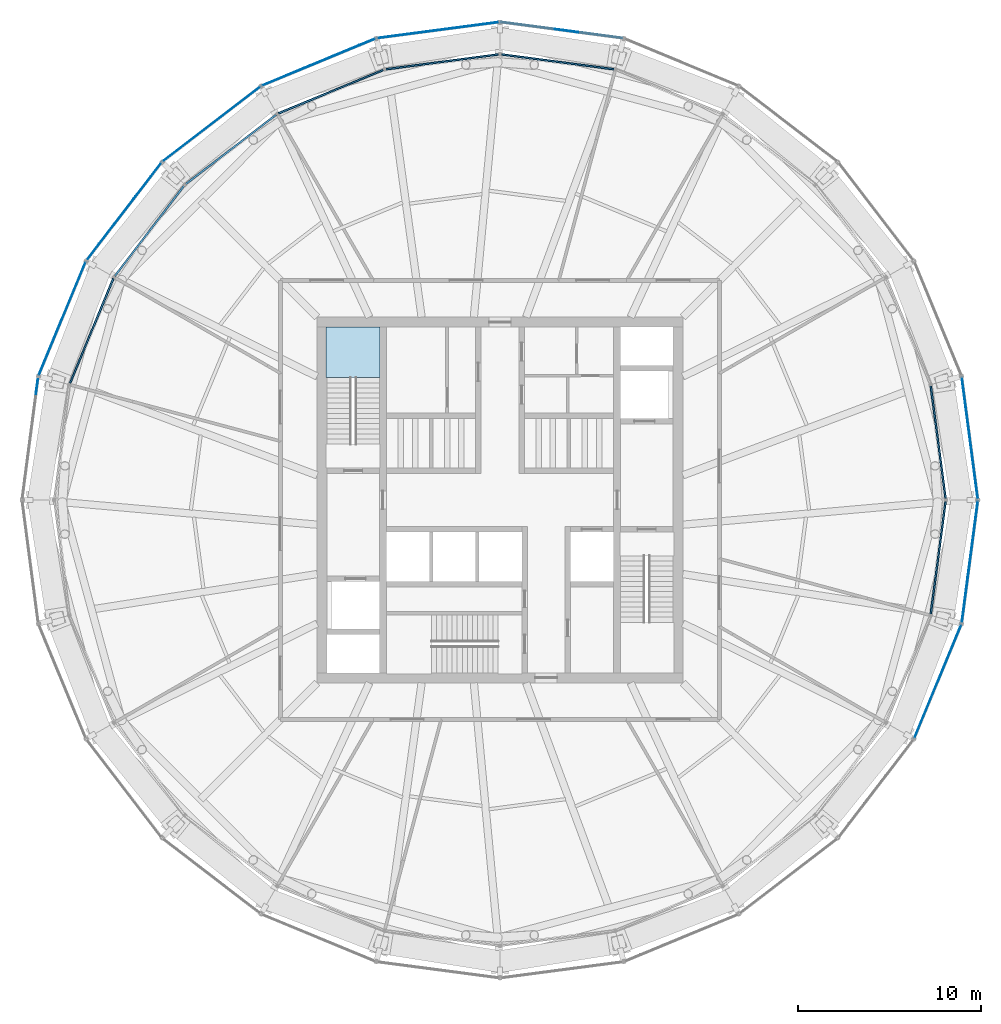
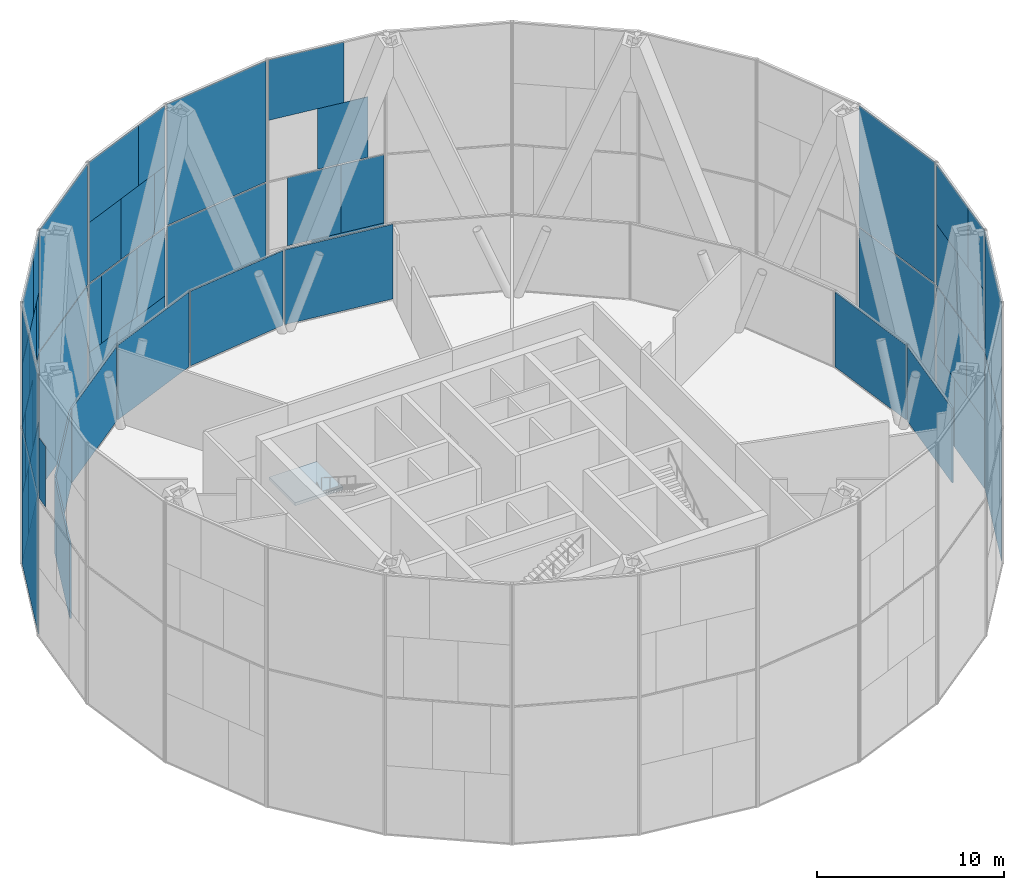
# One storey, part 12 of 17: 54 plates, 1 slab, 19 elements without a shape of their own.
"""IFC4 building model written with IfcOpenShell, lengths in metres."""

from ifc_helpers import new_model, si_unit, direction, frame, origin, origin_2d, place, context, subcontext, project, spatial, polyline, rectangle, outline, extrude, material, layer, layer_set, type_object, element, aggregate, save


model = new_model("IFC4")

# Units and contexts
model_context = context("Model", 3, precision=1e-05, world=origin(), true_north=direction((0.0, 1.0)))
body_context = subcontext(model_context, "Body", "Model", "MODEL_VIEW")
ifc_project = project(units=[si_unit("LENGTHUNIT", "METRE"), si_unit("AREAUNIT", "SQUARE_METRE"), si_unit("VOLUMEUNIT", "CUBIC_METRE"), si_unit("PLANEANGLEUNIT", "RADIAN"), si_unit("MASSUNIT", "GRAM", prefix="KILO")], contexts=[model_context])

# Site, building, storey
site_placement = place(None, origin())
site = spatial("IfcSite", under=ifc_project, at=site_placement, CompositionType="ELEMENT")
building_placement = place(site_placement, origin())
building = spatial("IfcBuilding", under=site, at=building_placement, Name="Golbaran Civic Tower", CompositionType="ELEMENT")
storey_placement = place(building_placement, frame((0.0, 0.0, 150.0)))
storey = spatial("IfcBuildingStorey", under=building, at=storey_placement, Name="L36", CompositionType="ELEMENT", Elevation=150.0)

# Curtain wall, plates
ifc_material_1 = material(Name="Aluminium and glass", Category="aluminium")
curtain_wall_type_1 = type_object("IfcCurtainWallType", Name="OUTER SKIN TERRACOTTA SCREEN", PredefinedType="NOTDEFINED", material=ifc_material_1)
curtain_wall_1_placement = place(storey_placement, origin())
curtain_wall_1 = element("IfcCurtainWall", 1, at=curtain_wall_1_placement, inside=storey, type_object=curtain_wall_type_1, Name="Outer skin L36 facet 6 CW3", ObjectType="OUTER SKIN", PredefinedType="USERDEFINED")
ifc_material_2 = material(Name="Clear laminated glass", Category="glass")
ifc_layer_1 = layer(ifc_material_2, 0.0400390625, Name="Clear laminated glass")
ifc_layer_set_1 = layer_set([ifc_layer_1], Name="Clear laminated glass")
plate_type_1 = type_object("IfcPlateType", Name="OUTER SKIN CLEAR GLASS PANEL", PredefinedType="CURTAIN_PANEL", material=ifc_layer_set_1)
plate_1_placement = place(storey_placement, frame((4.612548828125, 25.52685546875, -0.6298828125), z_axis=(0.0, 0.0, 1.0), x_axis=(-0.991444861369, 0.130526192255, 0.0)))
plate_1 = element("IfcPlate", 2, at=plate_1_placement, type_object=plate_type_1, Name="CW3 panel 1.1 part 1", PredefinedType="CURTAIN_PANEL", context=body_context, shape_type="SweptSolid", body=[
    extrude(rectangle(XDim=4.179931640625, YDim=0.0400390625, at=origin_2d()), origin(), (0.0, 0.0, 1.0), 4.43994140625),
])
plate_2_placement = place(storey_placement, frame((5.462158203125, 25.414794921875, 3.81005859375), z_axis=(0.0, 0.0, 1.0), x_axis=(-0.991444861369, 0.130526192255, 0.0)))
plate_2 = element("IfcPlate", 3, at=plate_2_placement, type_object=plate_type_1, Name="CW3 panel 1.1 part 3", PredefinedType="CURTAIN_PANEL", context=body_context, shape_type="SweptSolid", body=[
    extrude(rectangle(XDim=2.466064453125, YDim=0.0400390625, at=origin_2d()), origin(), (0.0, 0.0, 1.0), 4.43994140625),
])
plate_3_placement = place(storey_placement, frame((2.2373046875, 25.83935546875, 12.27001953125), z_axis=(0.0, 0.0, 1.0), x_axis=(-0.991444861369, 0.130526192255, 0.0)))
plate_3 = element("IfcPlate", 4, at=plate_3_placement, type_object=plate_type_1, Name="CW3 panel 1.2 part 5", PredefinedType="CURTAIN_PANEL", context=body_context, shape_type="SweptSolid", body=[
    extrude(rectangle(XDim=4.353271484375, YDim=0.0400390625, at=origin_2d()), origin(), (0.0, 0.0, 1.0), 3.93994140625),
])

curtain_wall_2_placement = place(storey_placement, origin())
curtain_wall_2 = element("IfcCurtainWall", 5, at=curtain_wall_2_placement, inside=storey, type_object=curtain_wall_type_1, Name="Outer skin L36 facet 8 CW3", ObjectType="OUTER SKIN", PredefinedType="USERDEFINED")
plate_4_placement = place(storey_placement, frame((-8.768798828125, 24.4130859375, -0.6298828125), z_axis=(0.0, 0.0, 1.0), x_axis=(-0.923879532545, -0.382683432284, 0.0)))
plate_4 = element("IfcPlate", 6, at=plate_4_placement, type_object=plate_type_1, Name="CW3 panel 1.1 part 1", PredefinedType="CURTAIN_PANEL", context=body_context, shape_type="SweptSolid", body=[
    extrude(rectangle(XDim=4.179931640625, YDim=0.0400390625, at=origin_2d()), origin(), (0.0, 0.0, 1.0), 4.43994140625),
])
plate_5_placement = place(storey_placement, frame((-7.97705078125, 24.740966796875, 3.81005859375), z_axis=(0.0, 0.0, 1.0), x_axis=(-0.923879532545, -0.382683432284, 0.0)))
plate_5 = element("IfcPlate", 7, at=plate_5_placement, type_object=plate_type_1, Name="CW3 panel 1.1 part 3", PredefinedType="CURTAIN_PANEL", context=body_context, shape_type="SweptSolid", body=[
    extrude(rectangle(XDim=2.466064453125, YDim=0.0400390625, at=origin_2d()), origin(), (0.0, 0.0, 1.0), 4.43994140625),
])
plate_6_placement = place(storey_placement, frame((-12.4921875, 22.870849609375, 3.81005859375), z_axis=(0.0, 0.0, 1.0), x_axis=(-0.923879532545, -0.382683432284, 0.0)))
plate_6 = element("IfcPlate", 8, at=plate_6_placement, type_object=plate_type_1, Name="CW3 panel 1.1 part 5", PredefinedType="CURTAIN_PANEL", context=body_context, shape_type="SweptSolid", body=[
    extrude(rectangle(XDim=1.084228515625, YDim=0.0400390625, at=origin_2d()), origin(), (0.0, 0.0, 1.0), 4.43994140625),
])
plate_7_placement = place(storey_placement, frame((-7.259521484375, 25.0380859375, 8.330078125), z_axis=(0.0, 0.0, 1.0), x_axis=(-0.923879532545, -0.382683432284, 0.0)))
plate_7 = element("IfcPlate", 9, at=plate_7_placement, type_object=plate_type_1, Name="CW3 panel 1.2 part 1", PredefinedType="CURTAIN_PANEL", context=body_context, shape_type="SweptSolid", body=[
    extrude(rectangle(XDim=0.9130859375, YDim=0.0400390625, at=origin_2d()), origin(), (0.0, 0.0, 1.0), 3.93994140625),
])
plate_8_placement = place(storey_placement, frame((-11.68505859375, 23.205078125, 8.330078125), z_axis=(0.0, 0.0, 1.0), x_axis=(-0.923879532545, -0.382683432284, 0.0)))
plate_8 = element("IfcPlate", 10, at=plate_8_placement, type_object=plate_type_1, Name="CW3 panel 1.2 part 3", PredefinedType="CURTAIN_PANEL", context=body_context, shape_type="SweptSolid", body=[
    extrude(rectangle(XDim=2.831298828125, YDim=0.0400390625, at=origin_2d()), origin(), (0.0, 0.0, 1.0), 3.93994140625),
])
plate_9_placement = place(storey_placement, frame((-10.982177734375, 23.496337890625, 12.27001953125), z_axis=(0.0, 0.0, 1.0), x_axis=(-0.923879532545, -0.382683432284, 0.0)))
plate_9 = element("IfcPlate", 11, at=plate_9_placement, type_object=plate_type_1, Name="CW3 panel 1.2 part 5", PredefinedType="CURTAIN_PANEL", context=body_context, shape_type="SweptSolid", body=[
    extrude(rectangle(XDim=4.353271484375, YDim=0.0400390625, at=origin_2d()), origin(), (0.0, 0.0, 1.0), 3.93994140625),
])

curtain_wall_3_placement = place(storey_placement, origin())
curtain_wall_3 = element("IfcCurtainWall", 12, at=curtain_wall_3_placement, inside=storey, type_object=curtain_wall_type_1, Name="Outer skin L36 facet 10 CW3", ObjectType="OUTER SKIN", PredefinedType="USERDEFINED")
plate_10_placement = place(storey_placement, frame((-19.800537109375, 16.758056640625, -0.6298828125), z_axis=(0.0, 0.0, 1.0), x_axis=(-0.608761428981, -0.793353340312, 0.0)))
plate_10 = element("IfcPlate", 13, at=plate_10_placement, type_object=plate_type_1, Name="CW3 panel 1.1 part 1", PredefinedType="CURTAIN_PANEL", context=body_context, shape_type="SweptSolid", body=[
    extrude(rectangle(XDim=4.179931640625, YDim=0.0400390625, at=origin_2d()), origin(), (0.0, 0.0, 1.0), 4.43994140625),
])
plate_11_placement = place(storey_placement, frame((-19.27880859375, 17.437744140625, 3.81005859375), z_axis=(0.0, 0.0, 1.0), x_axis=(-0.608761428981, -0.793353340312, 0.0)))
plate_11 = element("IfcPlate", 14, at=plate_11_placement, type_object=plate_type_1, Name="CW3 panel 1.1 part 3", PredefinedType="CURTAIN_PANEL", context=body_context, shape_type="SweptSolid", body=[
    extrude(rectangle(XDim=2.466064453125, YDim=0.0400390625, at=origin_2d()), origin(), (0.0, 0.0, 1.0), 4.43994140625),
])
plate_12_placement = place(storey_placement, frame((-22.25390625, 13.560546875, 3.81005859375), z_axis=(0.0, 0.0, 1.0), x_axis=(-0.608761428981, -0.793353340312, 0.0)))
plate_12 = element("IfcPlate", 15, at=plate_12_placement, type_object=plate_type_1, Name="CW3 panel 1.1 part 5", PredefinedType="CURTAIN_PANEL", context=body_context, shape_type="SweptSolid", body=[
    extrude(rectangle(XDim=1.084228515625, YDim=0.0400390625, at=origin_2d()), origin(), (0.0, 0.0, 1.0), 4.43994140625),
])
plate_13_placement = place(storey_placement, frame((-18.80615234375, 18.053955078125, 8.330078125), z_axis=(0.0, 0.0, 1.0), x_axis=(-0.608761428981, -0.793353340312, 0.0)))
plate_13 = element("IfcPlate", 16, at=plate_13_placement, type_object=plate_type_1, Name="CW3 panel 1.2 part 1", PredefinedType="CURTAIN_PANEL", context=body_context, shape_type="SweptSolid", body=[
    extrude(rectangle(XDim=0.9130859375, YDim=0.0400390625, at=origin_2d()), origin(), (0.0, 0.0, 1.0), 3.93994140625),
])
plate_14_placement = place(storey_placement, frame((-21.72216796875, 14.253662109375, 8.330078125), z_axis=(0.0, 0.0, 1.0), x_axis=(-0.608761428981, -0.793353340312, 0.0)))
plate_14 = element("IfcPlate", 17, at=plate_14_placement, type_object=plate_type_1, Name="CW3 panel 1.2 part 3", PredefinedType="CURTAIN_PANEL", context=body_context, shape_type="SweptSolid", body=[
    extrude(rectangle(XDim=2.831298828125, YDim=0.0400390625, at=origin_2d()), origin(), (0.0, 0.0, 1.0), 3.93994140625),
])
plate_15_placement = place(storey_placement, frame((-21.259033203125, 14.857421875, 12.27001953125), z_axis=(0.0, 0.0, 1.0), x_axis=(-0.608761428981, -0.793353340312, 0.0)))
plate_15 = element("IfcPlate", 18, at=plate_15_placement, type_object=plate_type_1, Name="CW3 panel 1.2 part 5", PredefinedType="CURTAIN_PANEL", context=body_context, shape_type="SweptSolid", body=[
    extrude(rectangle(XDim=4.353271484375, YDim=0.0400390625, at=origin_2d()), origin(), (0.0, 0.0, 1.0), 3.93994140625),
])

# Curtain wall, plate
curtain_wall_4_placement = place(storey_placement, origin())
curtain_wall_4 = element("IfcCurtainWall", 19, at=curtain_wall_4_placement, inside=storey, type_object=curtain_wall_type_1, Name="Outer skin L36 facet 12 CW3", ObjectType="OUTER SKIN", PredefinedType="USERDEFINED")
plate_16_placement = place(storey_placement, frame((-25.3134765625, 6.232177734375, 8.330078125), z_axis=(0.0, 0.0, 1.0), x_axis=(-0.130526192255, -0.991444861369, 0.0)))
plate_16 = element("IfcPlate", 20, at=plate_16_placement, type_object=plate_type_1, Name="CW3 panel 1.2 part 1", PredefinedType="CURTAIN_PANEL", context=body_context, shape_type="SweptSolid", body=[
    extrude(rectangle(XDim=0.9130859375, YDim=0.0400390625, at=origin_2d()), origin(), (0.0, 0.0, 1.0), 3.93994140625),
])
aggregate(curtain_wall_4, [plate_16])

# Curtain wall, plates
curtain_wall_5_placement = place(storey_placement, origin())
curtain_wall_5 = element("IfcCurtainWall", 21, at=curtain_wall_5_placement, inside=storey, type_object=curtain_wall_type_1, Name="Outer skin L36 facet 24 CW3", ObjectType="OUTER SKIN", PredefinedType="USERDEFINED")
plate_17_placement = place(storey_placement, frame((25.52685546875, -4.612548828125, -0.6298828125), z_axis=(0.0, 0.0, 1.0), x_axis=(0.130526192255, 0.991444861369, 0.0)))
plate_17 = element("IfcPlate", 22, at=plate_17_placement, type_object=plate_type_1, Name="CW3 panel 1.1 part 1", PredefinedType="CURTAIN_PANEL", context=body_context, shape_type="SweptSolid", body=[
    extrude(rectangle(XDim=4.179931640625, YDim=0.0400390625, at=origin_2d()), origin(), (0.0, 0.0, 1.0), 4.43994140625),
])
plate_18_placement = place(storey_placement, frame((25.414794921875, -5.462158203125, 3.81005859375), z_axis=(0.0, 0.0, 1.0), x_axis=(0.130526192255, 0.991444861369, 0.0)))
plate_18 = element("IfcPlate", 23, at=plate_18_placement, type_object=plate_type_1, Name="CW3 panel 1.1 part 3", PredefinedType="CURTAIN_PANEL", context=body_context, shape_type="SweptSolid", body=[
    extrude(rectangle(XDim=2.466064453125, YDim=0.0400390625, at=origin_2d()), origin(), (0.0, 0.0, 1.0), 4.43994140625),
])
plate_19_placement = place(storey_placement, frame((26.052734375, -0.616943359375, 3.81005859375), z_axis=(0.0, 0.0, 1.0), x_axis=(0.130526192255, 0.991444861369, 0.0)))
plate_19 = element("IfcPlate", 24, at=plate_19_placement, type_object=plate_type_1, Name="CW3 panel 1.1 part 5", PredefinedType="CURTAIN_PANEL", context=body_context, shape_type="SweptSolid", body=[
    extrude(rectangle(XDim=1.084228515625, YDim=0.0400390625, at=origin_2d()), origin(), (0.0, 0.0, 1.0), 4.43994140625),
])
plate_20_placement = place(storey_placement, frame((25.3134765625, -6.232177734375, 8.330078125), z_axis=(0.0, 0.0, 1.0), x_axis=(0.130526192255, 0.991444861369, 0.0)))
plate_20 = element("IfcPlate", 25, at=plate_20_placement, type_object=plate_type_1, Name="CW3 panel 1.2 part 1", PredefinedType="CURTAIN_PANEL", context=body_context, shape_type="SweptSolid", body=[
    extrude(rectangle(XDim=0.9130859375, YDim=0.0400390625, at=origin_2d()), origin(), (0.0, 0.0, 1.0), 3.93994140625),
])
plate_21_placement = place(storey_placement, frame((25.938720703125, -1.48291015625, 8.330078125), z_axis=(0.0, 0.0, 1.0), x_axis=(0.130526192255, 0.991444861369, 0.0)))
plate_21 = element("IfcPlate", 26, at=plate_21_placement, type_object=plate_type_1, Name="CW3 panel 1.2 part 3", PredefinedType="CURTAIN_PANEL", context=body_context, shape_type="SweptSolid", body=[
    extrude(rectangle(XDim=2.831298828125, YDim=0.0400390625, at=origin_2d()), origin(), (0.0, 0.0, 1.0), 3.93994140625),
])
plate_22_placement = place(storey_placement, frame((25.83935546875, -2.2373046875, 12.27001953125), z_axis=(0.0, 0.0, 1.0), x_axis=(0.130526192255, 0.991444861369, 0.0)))
plate_22 = element("IfcPlate", 27, at=plate_22_placement, type_object=plate_type_1, Name="CW3 panel 1.2 part 5", PredefinedType="CURTAIN_PANEL", context=body_context, shape_type="SweptSolid", body=[
    extrude(rectangle(XDim=4.353271484375, YDim=0.0400390625, at=origin_2d()), origin(), (0.0, 0.0, 1.0), 3.93994140625),
])

# Plate
ifc_material_3 = material(Name="Terracotta baguette screen", Category="masonry")
ifc_layer_2 = layer(ifc_material_3, 0.0400390625, Name="Terracotta baguette screen")
ifc_layer_set_2 = layer_set([ifc_layer_2], Name="Terracotta baguette screen")
plate_type_2 = type_object("IfcPlateType", Name="OUTER SKIN TERRACOTTA INFILL PANEL", PredefinedType="CURTAIN_PANEL", material=ifc_layer_set_2)
plate_23_placement = place(storey_placement, frame((2.697021484375, 25.77880859375, 3.81005859375), z_axis=(0.0, 0.0, 1.0), x_axis=(-0.991444861369, 0.130526192255, 0.0)))
plate_23 = element("IfcPlate", 28, at=plate_23_placement, type_object=plate_type_2, Name="CW3 infill panel 1.1 part 4", PredefinedType="CURTAIN_PANEL", context=body_context, shape_type="SweptSolid", body=[
    extrude(rectangle(XDim=3.112060546875, YDim=0.0400390625, at=origin_2d()), origin(), (0.0, 0.0, 1.0), 4.43994140625),
])

plate_24_placement = place(storey_placement, frame((4.3330078125, 25.5634765625, 8.330078125), z_axis=(0.0, 0.0, 1.0), x_axis=(-0.991444861369, 0.130526192255, 0.0)))
plate_24 = element("IfcPlate", 29, at=plate_24_placement, type_object=plate_type_2, Name="CW3 infill panel 1.2 part 2", PredefinedType="CURTAIN_PANEL", context=body_context, shape_type="SweptSolid", body=[
    extrude(rectangle(XDim=2.91796875, YDim=0.0400390625, at=origin_2d()), origin(), (0.0, 0.0, 1.0), 3.93994140625),
])

aggregate(curtain_wall_1, [plate_1, plate_2, plate_23, plate_24, plate_3])

plate_25_placement = place(storey_placement, frame((-11.846435546875, 23.13818359375, -0.6298828125), z_axis=(0.0, 0.0, 1.0), x_axis=(-0.923879532545, -0.382683432284, 0.0)))
plate_25 = element("IfcPlate", 30, at=plate_25_placement, type_object=plate_type_2, Name="CW3 infill panel 1.1 part 2", PredefinedType="CURTAIN_PANEL", context=body_context, shape_type="SweptSolid", body=[
    extrude(rectangle(XDim=2.482421875, YDim=0.0400390625, at=origin_2d()), origin(), (0.0, 0.0, 1.0), 4.43994140625),
])

plate_26_placement = place(storey_placement, frame((-10.5537109375, 23.673828125, 3.81005859375), z_axis=(0.0, 0.0, 1.0), x_axis=(-0.923879532545, -0.382683432284, 0.0)))
plate_26 = element("IfcPlate", 31, at=plate_26_placement, type_object=plate_type_2, Name="CW3 infill panel 1.1 part 4", PredefinedType="CURTAIN_PANEL", context=body_context, shape_type="SweptSolid", body=[
    extrude(rectangle(XDim=3.112060546875, YDim=0.0400390625, at=origin_2d()), origin(), (0.0, 0.0, 1.0), 4.43994140625),
])

plate_27_placement = place(storey_placement, frame((-9.029296875, 24.30517578125, 8.330078125), z_axis=(0.0, 0.0, 1.0), x_axis=(-0.923879532545, -0.382683432284, 0.0)))
plate_27 = element("IfcPlate", 32, at=plate_27_placement, type_object=plate_type_2, Name="CW3 infill panel 1.2 part 2", PredefinedType="CURTAIN_PANEL", context=body_context, shape_type="SweptSolid", body=[
    extrude(rectangle(XDim=2.91796875, YDim=0.0400390625, at=origin_2d()), origin(), (0.0, 0.0, 1.0), 3.93994140625),
])

plate_28_placement = place(storey_placement, frame((-7.904541015625, 24.77099609375, 12.27001953125), z_axis=(0.0, 0.0, 1.0), x_axis=(-0.923879532545, -0.382683432284, 0.0)))
plate_28 = element("IfcPlate", 33, at=plate_28_placement, type_object=plate_type_2, Name="CW3 infill panel 1.2 part 4", PredefinedType="CURTAIN_PANEL", context=body_context, shape_type="SweptSolid", body=[
    extrude(rectangle(XDim=2.30908203125, YDim=0.0400390625, at=origin_2d()), origin(), (0.0, 0.0, 1.0), 3.93994140625),
])

aggregate(curtain_wall_2, [plate_4, plate_25, plate_5, plate_26, plate_6, plate_7, plate_27, plate_8, plate_28, plate_9])

plate_29_placement = place(storey_placement, frame((-21.828369140625, 14.115234375, -0.6298828125), z_axis=(0.0, 0.0, 1.0), x_axis=(-0.608761428981, -0.793353340312, 0.0)))
plate_29 = element("IfcPlate", 34, at=plate_29_placement, type_object=plate_type_2, Name="CW3 infill panel 1.1 part 2", PredefinedType="CURTAIN_PANEL", context=body_context, shape_type="SweptSolid", body=[
    extrude(rectangle(XDim=2.482421875, YDim=0.0400390625, at=origin_2d()), origin(), (0.0, 0.0, 1.0), 4.43994140625),
])

plate_30_placement = place(storey_placement, frame((-20.9765625, 15.22509765625, 3.81005859375), z_axis=(0.0, 0.0, 1.0), x_axis=(-0.608761428981, -0.793353340312, 0.0)))
plate_30 = element("IfcPlate", 35, at=plate_30_placement, type_object=plate_type_2, Name="CW3 infill panel 1.1 part 4", PredefinedType="CURTAIN_PANEL", context=body_context, shape_type="SweptSolid", body=[
    extrude(rectangle(XDim=3.112060546875, YDim=0.0400390625, at=origin_2d()), origin(), (0.0, 0.0, 1.0), 4.43994140625),
])

plate_31_placement = place(storey_placement, frame((-19.97216796875, 16.5341796875, 8.330078125), z_axis=(0.0, 0.0, 1.0), x_axis=(-0.608761428981, -0.793353340312, 0.0)))
plate_31 = element("IfcPlate", 36, at=plate_31_placement, type_object=plate_type_2, Name="CW3 infill panel 1.2 part 2", PredefinedType="CURTAIN_PANEL", context=body_context, shape_type="SweptSolid", body=[
    extrude(rectangle(XDim=2.91796875, YDim=0.0400390625, at=origin_2d()), origin(), (0.0, 0.0, 1.0), 3.93994140625),
])

plate_32_placement = place(storey_placement, frame((-19.23095703125, 17.500244140625, 12.27001953125), z_axis=(0.0, 0.0, 1.0), x_axis=(-0.608761428981, -0.793353340312, 0.0)))
plate_32 = element("IfcPlate", 37, at=plate_32_placement, type_object=plate_type_2, Name="CW3 infill panel 1.2 part 4", PredefinedType="CURTAIN_PANEL", context=body_context, shape_type="SweptSolid", body=[
    extrude(rectangle(XDim=2.30908203125, YDim=0.0400390625, at=origin_2d()), origin(), (0.0, 0.0, 1.0), 3.93994140625),
])

aggregate(curtain_wall_3, [plate_10, plate_29, plate_11, plate_30, plate_12, plate_13, plate_31, plate_14, plate_32, plate_15])

plate_33_placement = place(storey_placement, frame((25.961669921875, -1.309814453125, -0.6298828125), z_axis=(0.0, 0.0, 1.0), x_axis=(0.130526192255, 0.991444861369, 0.0)))
plate_33 = element("IfcPlate", 38, at=plate_33_placement, type_object=plate_type_2, Name="CW3 infill panel 1.1 part 2", PredefinedType="CURTAIN_PANEL", context=body_context, shape_type="SweptSolid", body=[
    extrude(rectangle(XDim=2.482421875, YDim=0.0400390625, at=origin_2d()), origin(), (0.0, 0.0, 1.0), 4.43994140625),
])

plate_34_placement = place(storey_placement, frame((25.77880859375, -2.697021484375, 3.81005859375), z_axis=(0.0, 0.0, 1.0), x_axis=(0.130526192255, 0.991444861369, 0.0)))
plate_34 = element("IfcPlate", 39, at=plate_34_placement, type_object=plate_type_2, Name="CW3 infill panel 1.1 part 4", PredefinedType="CURTAIN_PANEL", context=body_context, shape_type="SweptSolid", body=[
    extrude(rectangle(XDim=3.112060546875, YDim=0.0400390625, at=origin_2d()), origin(), (0.0, 0.0, 1.0), 4.43994140625),
])

plate_35_placement = place(storey_placement, frame((25.5634765625, -4.3330078125, 8.330078125), z_axis=(0.0, 0.0, 1.0), x_axis=(0.130526192255, 0.991444861369, 0.0)))
plate_35 = element("IfcPlate", 40, at=plate_35_placement, type_object=plate_type_2, Name="CW3 infill panel 1.2 part 2", PredefinedType="CURTAIN_PANEL", context=body_context, shape_type="SweptSolid", body=[
    extrude(rectangle(XDim=2.91796875, YDim=0.0400390625, at=origin_2d()), origin(), (0.0, 0.0, 1.0), 3.93994140625),
])

plate_36_placement = place(storey_placement, frame((25.404541015625, -5.5400390625, 12.27001953125), z_axis=(0.0, 0.0, 1.0), x_axis=(0.130526192255, 0.991444861369, 0.0)))
plate_36 = element("IfcPlate", 41, at=plate_36_placement, type_object=plate_type_2, Name="CW3 infill panel 1.2 part 4", PredefinedType="CURTAIN_PANEL", context=body_context, shape_type="SweptSolid", body=[
    extrude(rectangle(XDim=2.30908203125, YDim=0.0400390625, at=origin_2d()), origin(), (0.0, 0.0, 1.0), 3.93994140625),
])

aggregate(curtain_wall_5, [plate_17, plate_33, plate_18, plate_34, plate_19, plate_20, plate_35, plate_21, plate_36, plate_22])

# Curtain wall, plates
curtain_wall_6_placement = place(storey_placement, origin())
curtain_wall_6 = element("IfcCurtainWall", 42, at=curtain_wall_6_placement, inside=storey, type_object=curtain_wall_type_1, Name="Outer skin L36 facet 1 CW3", ObjectType="OUTER SKIN", PredefinedType="USERDEFINED")
ifc_layer_3 = layer(ifc_material_3, 0.0400390625, Name="Terracotta baguette screen")
ifc_layer_set_3 = layer_set([ifc_layer_3], Name="Terracotta baguette screen")
plate_type_3 = type_object("IfcPlateType", Name="OUTER SKIN TERRACOTTA SCREEN PANEL", PredefinedType="CURTAIN_PANEL", material=ifc_layer_set_3)
plate_37_placement = place(storey_placement, frame((25.688720703125, 3.382080078125, -0.6298828125), z_axis=(0.0, 0.0, 1.0), x_axis=(-0.130526192255, 0.991444861369, 0.0)))
plate_37 = element("IfcPlate", 43, at=plate_37_placement, type_object=plate_type_3, Name="CW3 terracotta screen panel 1.1", PredefinedType="CURTAIN_PANEL", context=body_context, shape_type="SweptSolid", body=[
    extrude(rectangle(XDim=6.662353515625, YDim=0.0400390625, at=origin_2d()), origin(), (0.0, 0.0, 1.0), 8.8798828125),
])
plate_38_placement = place(storey_placement, frame((25.688720703125, 3.382080078125, 8.330078125), z_axis=(0.0, 0.0, 1.0), x_axis=(-0.130526192255, 0.991444861369, 0.0)))
plate_38 = element("IfcPlate", 44, at=plate_38_placement, type_object=plate_type_3, Name="CW3 terracotta screen panel 1.2", PredefinedType="CURTAIN_PANEL", context=body_context, shape_type="SweptSolid", body=[
    extrude(rectangle(XDim=6.662353515625, YDim=0.0400390625, at=origin_2d()), origin(), (0.0, 0.0, 1.0), 7.8798828125),
])
aggregate(curtain_wall_6, [plate_37, plate_38])

curtain_wall_7_placement = place(storey_placement, origin())
curtain_wall_7 = element("IfcCurtainWall", 45, at=curtain_wall_7_placement, inside=storey, type_object=curtain_wall_type_1, Name="Outer skin L36 facet 7 CW3", ObjectType="OUTER SKIN", PredefinedType="USERDEFINED")
plate_39_placement = place(storey_placement, frame((-3.382080078125, 25.688720703125, -0.6298828125), z_axis=(0.0, 0.0, 1.0), x_axis=(-0.991444861369, -0.130526192255, 0.0)))
plate_39 = element("IfcPlate", 46, at=plate_39_placement, type_object=plate_type_3, Name="CW3 terracotta screen panel 1.1", PredefinedType="CURTAIN_PANEL", context=body_context, shape_type="SweptSolid", body=[
    extrude(rectangle(XDim=6.662353515625, YDim=0.0400390625, at=origin_2d()), origin(), (0.0, 0.0, 1.0), 8.8798828125),
])
plate_40_placement = place(storey_placement, frame((-3.382080078125, 25.688720703125, 8.330078125), z_axis=(0.0, 0.0, 1.0), x_axis=(-0.991444861369, -0.130526192255, 0.0)))
plate_40 = element("IfcPlate", 47, at=plate_40_placement, type_object=plate_type_3, Name="CW3 terracotta screen panel 1.2", PredefinedType="CURTAIN_PANEL", context=body_context, shape_type="SweptSolid", body=[
    extrude(rectangle(XDim=6.662353515625, YDim=0.0400390625, at=origin_2d()), origin(), (0.0, 0.0, 1.0), 7.8798828125),
])
aggregate(curtain_wall_7, [plate_39, plate_40])

curtain_wall_8_placement = place(storey_placement, origin())
curtain_wall_8 = element("IfcCurtainWall", 48, at=curtain_wall_8_placement, inside=storey, type_object=curtain_wall_type_1, Name="Outer skin L36 facet 9 CW3", ObjectType="OUTER SKIN", PredefinedType="USERDEFINED")
plate_41_placement = place(storey_placement, frame((-15.773193359375, 20.55615234375, -0.6298828125), z_axis=(0.0, 0.0, 1.0), x_axis=(-0.793353340312, -0.608761428981, 0.0)))
plate_41 = element("IfcPlate", 49, at=plate_41_placement, type_object=plate_type_3, Name="CW3 terracotta screen panel 1.1", PredefinedType="CURTAIN_PANEL", context=body_context, shape_type="SweptSolid", body=[
    extrude(rectangle(XDim=6.662353515625, YDim=0.0400390625, at=origin_2d()), origin(), (0.0, 0.0, 1.0), 8.8798828125),
])
plate_42_placement = place(storey_placement, frame((-15.773193359375, 20.55615234375, 8.330078125), z_axis=(0.0, 0.0, 1.0), x_axis=(-0.793353340312, -0.608761428981, 0.0)))
plate_42 = element("IfcPlate", 50, at=plate_42_placement, type_object=plate_type_3, Name="CW3 terracotta screen panel 1.2", PredefinedType="CURTAIN_PANEL", context=body_context, shape_type="SweptSolid", body=[
    extrude(rectangle(XDim=6.662353515625, YDim=0.0400390625, at=origin_2d()), origin(), (0.0, 0.0, 1.0), 7.8798828125),
])
aggregate(curtain_wall_8, [plate_41, plate_42])

curtain_wall_9_placement = place(storey_placement, origin())
curtain_wall_9 = element("IfcCurtainWall", 51, at=curtain_wall_9_placement, inside=storey, type_object=curtain_wall_type_1, Name="Outer skin L36 facet 11 CW3", ObjectType="OUTER SKIN", PredefinedType="USERDEFINED")
plate_43_placement = place(storey_placement, frame((-23.93798828125, 9.91552734375, -0.6298828125), z_axis=(0.0, 0.0, 1.0), x_axis=(-0.382683432284, -0.923879532545, 0.0)))
plate_43 = element("IfcPlate", 52, at=plate_43_placement, type_object=plate_type_3, Name="CW3 terracotta screen panel 1.1", PredefinedType="CURTAIN_PANEL", context=body_context, shape_type="SweptSolid", body=[
    extrude(rectangle(XDim=6.662353515625, YDim=0.0400390625, at=origin_2d()), origin(), (0.0, 0.0, 1.0), 8.8798828125),
])
plate_44_placement = place(storey_placement, frame((-23.93798828125, 9.91552734375, 8.330078125), z_axis=(0.0, 0.0, 1.0), x_axis=(-0.382683432284, -0.923879532545, 0.0)))
plate_44 = element("IfcPlate", 53, at=plate_44_placement, type_object=plate_type_3, Name="CW3 terracotta screen panel 1.2", PredefinedType="CURTAIN_PANEL", context=body_context, shape_type="SweptSolid", body=[
    extrude(rectangle(XDim=6.662353515625, YDim=0.0400390625, at=origin_2d()), origin(), (0.0, 0.0, 1.0), 7.8798828125),
])
aggregate(curtain_wall_9, [plate_43, plate_44])

curtain_wall_10_placement = place(storey_placement, origin())
curtain_wall_10 = element("IfcCurtainWall", 54, at=curtain_wall_10_placement, inside=storey, type_object=curtain_wall_type_1, Name="Outer skin L36 facet 23 CW3", ObjectType="OUTER SKIN", PredefinedType="USERDEFINED")
plate_45_placement = place(storey_placement, frame((23.93798828125, -9.91552734375, -0.6298828125), z_axis=(0.0, 0.0, 1.0), x_axis=(0.382683432284, 0.923879532545, 0.0)))
plate_45 = element("IfcPlate", 55, at=plate_45_placement, type_object=plate_type_3, Name="CW3 terracotta screen panel 1.1", PredefinedType="CURTAIN_PANEL", context=body_context, shape_type="SweptSolid", body=[
    extrude(rectangle(XDim=6.662353515625, YDim=0.0400390625, at=origin_2d()), origin(), (0.0, 0.0, 1.0), 8.8798828125),
])
plate_46_placement = place(storey_placement, frame((23.93798828125, -9.91552734375, 8.330078125), z_axis=(0.0, 0.0, 1.0), x_axis=(0.382683432284, 0.923879532545, 0.0)))
plate_46 = element("IfcPlate", 56, at=plate_46_placement, type_object=plate_type_3, Name="CW3 terracotta screen panel 1.2", PredefinedType="CURTAIN_PANEL", context=body_context, shape_type="SweptSolid", body=[
    extrude(rectangle(XDim=6.662353515625, YDim=0.0400390625, at=origin_2d()), origin(), (0.0, 0.0, 1.0), 7.8798828125),
])
aggregate(curtain_wall_10, [plate_45, plate_46])

# Curtain wall, plate
curtain_wall_type_2 = type_object("IfcCurtainWallType", Name="PLANT FLOOR LOUVRE WALL", PredefinedType="NOTDEFINED", material=ifc_material_1)
curtain_wall_11_placement = place(storey_placement, origin())
curtain_wall_11 = element("IfcCurtainWall", 57, at=curtain_wall_11_placement, inside=storey, type_object=curtain_wall_type_2, Name="Inner skin L36 facet 1 CW6", ObjectType="PLANT LOUVRE WALL", PredefinedType="USERDEFINED")
ifc_material_4 = material(Name="Aluminium louvre", Category="aluminium")
ifc_layer_4 = layer(ifc_material_4, 0.10009765625, Name="Aluminium louvre")
ifc_layer_set_4 = layer_set([ifc_layer_4], Name="Aluminium louvre")
plate_type_4 = type_object("IfcPlateType", Name="PLANT FLOOR LOUVRE WALL LOUVRE PANEL", PredefinedType="CURTAIN_PANEL", material=ifc_layer_set_4)
plate_47_placement = place(storey_placement, frame((23.954833984375, 3.15380859375, 0.06982421875), z_axis=(0.0, 0.0, 1.0), x_axis=(-0.130526192168, 0.991444861381, 0.0)))
plate_47 = element("IfcPlate", 58, at=plate_47_placement, type_object=plate_type_4, Name="CW6 panel 1.1", PredefinedType="CURTAIN_PANEL", context=body_context, shape_type="SweptSolid", body=[
    extrude(rectangle(XDim=6.221923828125, YDim=0.10009765625, at=origin_2d()), origin(), (0.0, 0.0, 1.0), 4.860107421875),
])
aggregate(curtain_wall_11, [plate_47])

curtain_wall_12_placement = place(storey_placement, origin())
curtain_wall_12 = element("IfcCurtainWall", 59, at=curtain_wall_12_placement, inside=storey, type_object=curtain_wall_type_2, Name="Inner skin L36 facet 6 CW6", ObjectType="PLANT LOUVRE WALL", PredefinedType="USERDEFINED")
plate_48_placement = place(storey_placement, frame((3.15380859375, 23.954833984375, 0.06982421875), z_axis=(0.0, 0.0, 1.0), x_axis=(-0.991444861381, 0.130526192168, 0.0)))
plate_48 = element("IfcPlate", 60, at=plate_48_placement, type_object=plate_type_4, Name="CW6 panel 1.1", PredefinedType="CURTAIN_PANEL", context=body_context, shape_type="SweptSolid", body=[
    extrude(rectangle(XDim=6.221923828125, YDim=0.10009765625, at=origin_2d()), origin(), (0.0, 0.0, 1.0), 4.860107421875),
])
aggregate(curtain_wall_12, [plate_48])

curtain_wall_13_placement = place(storey_placement, origin())
curtain_wall_13 = element("IfcCurtainWall", 61, at=curtain_wall_13_placement, inside=storey, type_object=curtain_wall_type_2, Name="Inner skin L36 facet 7 CW6", ObjectType="PLANT LOUVRE WALL", PredefinedType="USERDEFINED")
plate_49_placement = place(storey_placement, frame((-3.15380859375, 23.954833984375, 0.06982421875), z_axis=(0.0, 0.0, 1.0), x_axis=(-0.991444861381, -0.130526192168, 0.0)))
plate_49 = element("IfcPlate", 62, at=plate_49_placement, type_object=plate_type_4, Name="CW6 panel 1.1", PredefinedType="CURTAIN_PANEL", context=body_context, shape_type="SweptSolid", body=[
    extrude(rectangle(XDim=6.221923828125, YDim=0.10009765625, at=origin_2d()), origin(), (0.0, 0.0, 1.0), 4.860107421875),
])
aggregate(curtain_wall_13, [plate_49])

curtain_wall_14_placement = place(storey_placement, origin())
curtain_wall_14 = element("IfcCurtainWall", 63, at=curtain_wall_14_placement, inside=storey, type_object=curtain_wall_type_2, Name="Inner skin L36 facet 8 CW6", ObjectType="PLANT LOUVRE WALL", PredefinedType="USERDEFINED")
plate_50_placement = place(storey_placement, frame((-9.24609375, 22.322265625, 0.06982421875), z_axis=(0.0, 0.0, 1.0), x_axis=(-0.923879532485, -0.38268343243, 0.0)))
plate_50 = element("IfcPlate", 64, at=plate_50_placement, type_object=plate_type_4, Name="CW6 panel 1.1", PredefinedType="CURTAIN_PANEL", context=body_context, shape_type="SweptSolid", body=[
    extrude(rectangle(XDim=6.221923828125, YDim=0.10009765625, at=origin_2d()), origin(), (0.0, 0.0, 1.0), 4.860107421875),
])
aggregate(curtain_wall_14, [plate_50])

curtain_wall_15_placement = place(storey_placement, origin())
curtain_wall_15 = element("IfcCurtainWall", 65, at=curtain_wall_15_placement, inside=storey, type_object=curtain_wall_type_2, Name="Inner skin L36 facet 9 CW6", ObjectType="PLANT LOUVRE WALL", PredefinedType="USERDEFINED")
plate_51_placement = place(storey_placement, frame((-14.70849609375, 19.168701171875, 0.06982421875), z_axis=(0.0, 0.0, 1.0), x_axis=(-0.793353340376, -0.608761428898, 0.0)))
plate_51 = element("IfcPlate", 66, at=plate_51_placement, type_object=plate_type_4, Name="CW6 panel 1.1", PredefinedType="CURTAIN_PANEL", context=body_context, shape_type="SweptSolid", body=[
    extrude(rectangle(XDim=6.221923828125, YDim=0.10009765625, at=origin_2d()), origin(), (0.0, 0.0, 1.0), 4.860107421875),
])
aggregate(curtain_wall_15, [plate_51])

curtain_wall_16_placement = place(storey_placement, origin())
curtain_wall_16 = element("IfcCurtainWall", 67, at=curtain_wall_16_placement, inside=storey, type_object=curtain_wall_type_2, Name="Inner skin L36 facet 10 CW6", ObjectType="PLANT LOUVRE WALL", PredefinedType="USERDEFINED")
plate_52_placement = place(storey_placement, frame((-19.168701171875, 14.70849609375, 0.06982421875), z_axis=(0.0, 0.0, 1.0), x_axis=(-0.608761428898, -0.793353340376, 0.0)))
plate_52 = element("IfcPlate", 68, at=plate_52_placement, type_object=plate_type_4, Name="CW6 panel 1.1", PredefinedType="CURTAIN_PANEL", context=body_context, shape_type="SweptSolid", body=[
    extrude(rectangle(XDim=6.221923828125, YDim=0.10009765625, at=origin_2d()), origin(), (0.0, 0.0, 1.0), 4.860107421875),
])
aggregate(curtain_wall_16, [plate_52])

curtain_wall_17_placement = place(storey_placement, origin())
curtain_wall_17 = element("IfcCurtainWall", 69, at=curtain_wall_17_placement, inside=storey, type_object=curtain_wall_type_2, Name="Inner skin L36 facet 11 CW6", ObjectType="PLANT LOUVRE WALL", PredefinedType="USERDEFINED")
plate_53_placement = place(storey_placement, frame((-22.322265625, 9.24609375, 0.06982421875), z_axis=(0.0, 0.0, 1.0), x_axis=(-0.38268343243, -0.923879532485, 0.0)))
plate_53 = element("IfcPlate", 70, at=plate_53_placement, type_object=plate_type_4, Name="CW6 panel 1.1", PredefinedType="CURTAIN_PANEL", context=body_context, shape_type="SweptSolid", body=[
    extrude(rectangle(XDim=6.221923828125, YDim=0.10009765625, at=origin_2d()), origin(), (0.0, 0.0, 1.0), 4.860107421875),
])
aggregate(curtain_wall_17, [plate_53])

curtain_wall_18_placement = place(storey_placement, origin())
curtain_wall_18 = element("IfcCurtainWall", 71, at=curtain_wall_18_placement, inside=storey, type_object=curtain_wall_type_2, Name="Inner skin L36 facet 24 CW6", ObjectType="PLANT LOUVRE WALL", PredefinedType="USERDEFINED")
plate_54_placement = place(storey_placement, frame((23.954833984375, -3.15380859375, 0.06982421875), z_axis=(0.0, 0.0, 1.0), x_axis=(0.130526192168, 0.991444861381, 0.0)))
plate_54 = element("IfcPlate", 72, at=plate_54_placement, type_object=plate_type_4, Name="CW6 panel 1.1", PredefinedType="CURTAIN_PANEL", context=body_context, shape_type="SweptSolid", body=[
    extrude(rectangle(XDim=6.221923828125, YDim=0.10009765625, at=origin_2d()), origin(), (0.0, 0.0, 1.0), 4.860107421875),
])
aggregate(curtain_wall_18, [plate_54])

# Stair, slab
ifc_material_5 = material(Name="Concrete C35/45", Category="concrete")
stair_type = type_object("IfcStairType", Name="EXIT STAIR 2850 x 7700, 5000 RISE", PredefinedType="HALF_TURN_STAIR", material=ifc_material_5)
stair_placement = place(storey_placement, origin())
stair = element("IfcStair", 73, at=stair_placement, inside=storey, type_object=stair_type, Name="Stair S1 L36", PredefinedType="HALF_TURN_STAIR")
ifc_layer_5 = layer(ifc_material_5, 0.199951171875, Name="Concrete C35/45")
ifc_layer_set_5 = layer_set([ifc_layer_5], Name="Concrete C35/45")
slab_type = type_object("IfcSlabType", Name="STAIR LANDING 200", PredefinedType="LANDING", material=ifc_layer_set_5)
slab_placement = place(storey_placement, frame((0.0, 0.0, 2.300048828125)))
slab = element("IfcSlab", 74, at=slab_placement, type_object=slab_type, Name="ST28577-50 landing 1", PredefinedType="LANDING", context=body_context, shape_type="SweptSolid", body=[
    extrude(outline(polyline([(-9.5, 6.68505859375), (-9.5, 9.449951171875), (-6.550048828125, 9.449951171875), (-6.550048828125, 6.68505859375), (-9.5, 6.68505859375)])), origin(), (0.0, 0.0, 1.0), 0.199951171875),
])
aggregate(stair, [slab])

save(model, "model.ifc")
